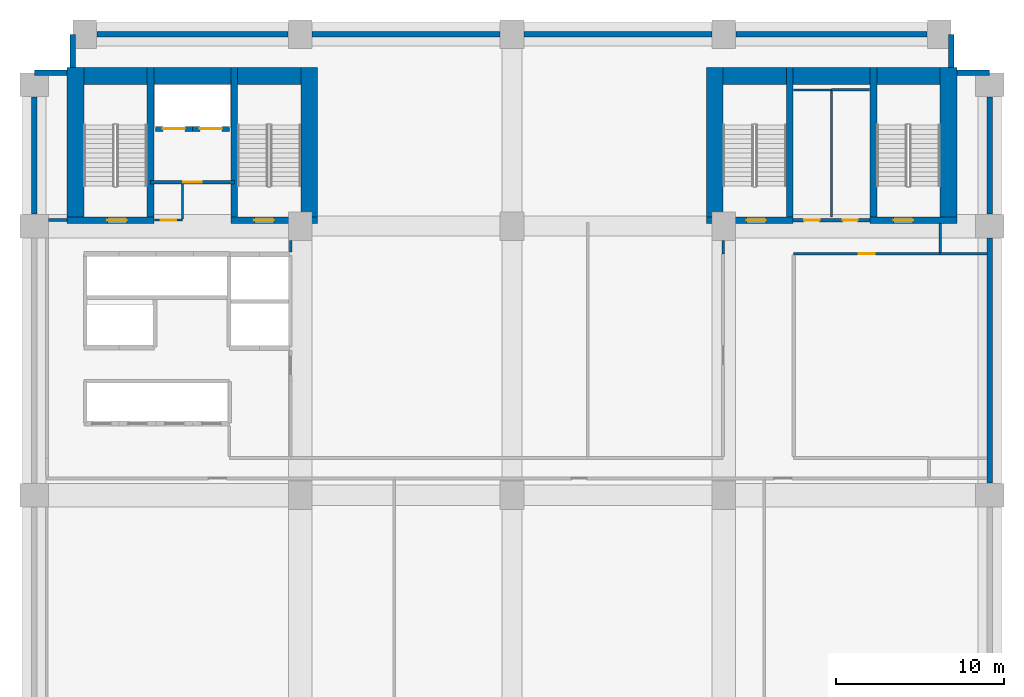
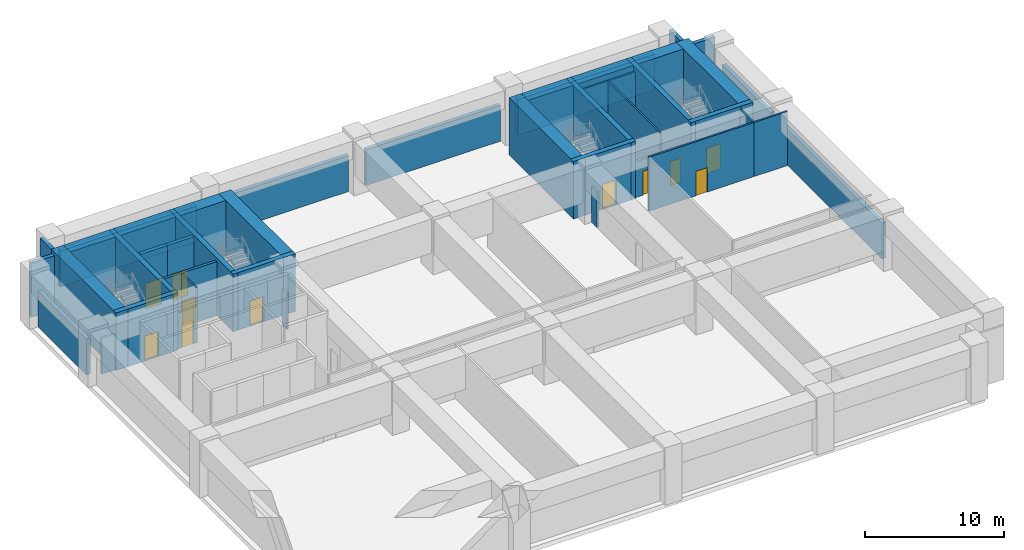
# One storey, part 3 of 6: 40 walls, 11 doors, 11 openings.
"""IFC4 building model written with IfcOpenShell, lengths in metres."""

from ifc_helpers import new_model, si_unit, direction, frame, frame_2d, origin, place, context, subcontext, project, spatial, rectangle, extrude, material, layer, layer_set, type_object, element, fill, save


model = new_model("IFC4")

# Units and contexts
model_context = context("Model", 3, precision=1e-05, world=origin(), true_north=direction((0.0, 1.0)))
body_context = subcontext(model_context, "Body", "Model", "MODEL_VIEW")
ifc_project = project(units=[si_unit("LENGTHUNIT", "METRE"), si_unit("AREAUNIT", "SQUARE_METRE"), si_unit("VOLUMEUNIT", "CUBIC_METRE"), si_unit("PLANEANGLEUNIT", "RADIAN"), si_unit("MASSUNIT", "GRAM", prefix="KILO")], contexts=[model_context])

# Site, building, storey
site_placement = place(None, origin())
site = spatial("IfcSite", under=ifc_project, at=site_placement, CompositionType="ELEMENT")
building_placement = place(site_placement, origin())
building = spatial("IfcBuilding", under=site, at=building_placement, Name="Sulina Concourse Tower", CompositionType="ELEMENT")
storey_placement = place(building_placement, frame((0.0, 0.0, 17.550048828125)))
storey = spatial("IfcBuildingStorey", under=building, at=storey_placement, Name="L04", CompositionType="ELEMENT", Elevation=17.550048828125)

# Wall, opening, door
ifc_material_1 = material(Name="Concrete C50/60", Category="concrete")
ifc_layer_1 = layer(ifc_material_1, 0.300048828125)
ifc_layer_set_1 = layer_set([ifc_layer_1], Name="Concrete C50/60")
wall_type_1 = type_object("IfcWallType", Name="Core Lift Hoistway Wall 300mm", PredefinedType="SOLIDWALL", material=ifc_layer_set_1)
wall_1_placement = place(storey_placement, frame((10.0, 39.780029296875, 0.0), z_axis=(0.0, 0.0, 1.0), x_axis=(-1.0, 0.0, 0.0)))
wall_1 = element("IfcWall", 1, at=wall_1_placement, inside=storey, type_object=wall_type_1, Name="L04 hoistway enclosure wall FFL-1", PredefinedType="SOLIDWALL", context=body_context, shape_type="SweptSolid", body=[
    extrude(rectangle(XDim=2.199951171875, YDim=0.300048828125, at=frame_2d((1.10009765625, 0.0))), origin(), (0.0, 0.0, 1.0), 5.050048828125),
])
opening_1_placement = place(wall_1_placement, frame((0.449951171875, 0.0, 0.0)))
opening_1 = element("IfcOpeningElement", 2, at=opening_1_placement, cuts=wall_1, Name="Opening LD-02", PredefinedType="OPENING", context=body_context, shape_type="SweptSolid", body=[
    extrude(rectangle(XDim=1.300048828125, YDim=2.25, at=frame_2d((0.64990234375, 1.125))), frame((0.0, 0.159912109375, 0.0), z_axis=(0.0, -1.0, 0.0), x_axis=(1.0, 0.0, 0.0)), (0.0, 0.0, 1.0), 0.320068359375),
])
ifc_material_2 = material(Name="Stainless steel lift landing door", Category="steel")
ifc_layer_2 = layer(ifc_material_2, 0.050048828125)
ifc_layer_set_2 = layer_set([ifc_layer_2], Name="Stainless steel lift landing door")
door_type_1 = type_object("IfcDoorType", Name="Firefighting Lift Sliding Landing Door 1300x2250", OperationType="SLIDING_TO_RIGHT", PredefinedType="DOOR", material=ifc_layer_set_2)
door_1_placement = place(opening_1_placement, origin())
door_1 = element("IfcDoor", 3, at=door_1_placement, inside=storey, type_object=door_type_1, Name="L04 lift landing sliding door FFL-1", OperationType="SLIDING_TO_LEFT", OverallHeight=2.25, OverallWidth=1.300048828125, PredefinedType="DOOR", context=body_context, shape_type="SweptSolid", body=[
    extrude(rectangle(XDim=1.300048828125, YDim=2.25, at=frame_2d((0.64990234375, 1.125))), frame((0.0, 0.02490234375, 0.0), z_axis=(0.0, -1.0, 0.0), x_axis=(1.0, 0.0, 0.0)), (0.0, 0.0, 1.0), 0.050048828125),
])
fill(opening_1, door_1)

wall_2_placement = place(storey_placement, frame((12.199951171875, 39.780029296875, 0.0), z_axis=(0.0, 0.0, 1.0), x_axis=(-1.0, 0.0, 0.0)))
wall_2 = element("IfcWall", 4, at=wall_2_placement, inside=storey, type_object=wall_type_1, Name="L04 hoistway enclosure wall FFL-2", PredefinedType="SOLIDWALL", context=body_context, shape_type="SweptSolid", body=[
    extrude(rectangle(XDim=2.199951171875, YDim=0.300048828125, at=frame_2d((1.10009765625, 0.0))), origin(), (0.0, 0.0, 1.0), 5.050048828125),
])
opening_2_placement = place(wall_2_placement, frame((0.449951171875, 0.0, 0.0)))
opening_2 = element("IfcOpeningElement", 5, at=opening_2_placement, cuts=wall_2, Name="Opening LD-02", PredefinedType="OPENING", context=body_context, shape_type="SweptSolid", body=[
    extrude(rectangle(XDim=1.300048828125, YDim=2.25, at=frame_2d((0.64990234375, 1.125))), frame((0.0, 0.159912109375, 0.0), z_axis=(0.0, -1.0, 0.0), x_axis=(1.0, 0.0, 0.0)), (0.0, 0.0, 1.0), 0.320068359375),
])
door_2_placement = place(opening_2_placement, origin())
door_2 = element("IfcDoor", 6, at=door_2_placement, inside=storey, type_object=door_type_1, Name="L04 lift landing sliding door FFL-2", OperationType="SLIDING_TO_RIGHT", OverallHeight=2.25, OverallWidth=1.300048828125, PredefinedType="DOOR", context=body_context, shape_type="SweptSolid", body=[
    extrude(rectangle(XDim=1.300048828125, YDim=2.25, at=frame_2d((0.64990234375, 1.125))), frame((0.0, 0.02490234375, 0.0), z_axis=(0.0, -1.0, 0.0), x_axis=(1.0, 0.0, 0.0)), (0.0, 0.0, 1.0), 0.050048828125),
])
fill(opening_2, door_2)

ifc_material_3 = material(Name="Gypsum board on steel stud", Category="steel")
ifc_layer_3 = layer(ifc_material_3, 0.219970703125)
ifc_layer_set_3 = layer_set([ifc_layer_3], Name="Gypsum board on steel stud")
wall_type_2 = type_object("IfcWallType", Name="Fire-Rated Lobby & Compartment Wall 220mm", PredefinedType="PARTITIONING", material=ifc_layer_set_3)
wall_3_placement = place(storey_placement, frame((7.510009765625, 36.60009765625, 0.0), z_axis=(0.0, 0.0, 1.0), x_axis=(1.0, 0.0, 0.0)))
wall_3 = element("IfcWall", 7, at=wall_3_placement, inside=storey, type_object=wall_type_2, Name="L04 firefighting lobby south fire wall", PredefinedType="PARTITIONING", context=body_context, shape_type="SweptSolid", body=[
    extrude(rectangle(XDim=4.97998046875, YDim=0.219970703125, at=frame_2d((2.489990234375, 0.0))), origin(), (0.0, 0.0, 1.0), 4.75),
])
opening_3_placement = place(wall_3_placement, frame((1.93994140625, 0.0, 0.0)))
opening_3 = element("IfcOpeningElement", 8, at=opening_3_placement, cuts=wall_3, Name="Opening DR-47", PredefinedType="OPENING", context=body_context, shape_type="SweptSolid", body=[
    extrude(rectangle(XDim=1.10009765625, YDim=2.199951171875, at=frame_2d((0.550048828125, 1.10009765625))), frame((0.0, 0.119873046875, 0.0), z_axis=(0.0, -1.0, 0.0), x_axis=(1.0, 0.0, 0.0)), (0.0, 0.0, 1.0), 0.239990234375),
])
ifc_material_4 = material(Name="Galvanised steel acoustic fire leaf", Category="steel")
ifc_layer_4 = layer(ifc_material_4, 0.054931640625)
ifc_layer_set_4 = layer_set([ifc_layer_4], Name="Galvanised steel acoustic fire leaf")
door_type_2 = type_object("IfcDoorType", Name="Firefighting Lobby Fire Door 1100x2200", OperationType="NOTDEFINED", PredefinedType="DOOR", material=ifc_layer_set_4)
door_3_placement = place(opening_3_placement, origin())
door_3 = element("IfcDoor", 9, at=door_3_placement, inside=storey, type_object=door_type_2, Name="L04 firefighting lobby fire door", OperationType="SINGLE_SWING_LEFT", OverallHeight=2.199951171875, OverallWidth=1.10009765625, PredefinedType="DOOR", context=body_context, shape_type="SweptSolid", body=[
    extrude(rectangle(XDim=1.10009765625, YDim=2.199951171875, at=frame_2d((0.550048828125, 1.10009765625))), frame((0.0, 0.02490234375, 0.0), z_axis=(0.0, -1.0, 0.0), x_axis=(1.0, 0.0, 0.0)), (0.0, 0.0, 1.0), 0.050048828125),
])
fill(opening_3, door_3)

# Wall, openings, doors
wall_4_placement = place(storey_placement, frame((45.719970703125, 34.35009765625, 0.0), z_axis=(0.0, 0.0, 1.0), x_axis=(1.0, 0.0, 0.0)))
wall_4 = element("IfcWall", 10, at=wall_4_placement, inside=storey, type_object=wall_type_2, Name="L04 east core south lobby wall", PredefinedType="PARTITIONING", context=body_context, shape_type="SweptSolid", body=[
    extrude(rectangle(XDim=4.56005859375, YDim=0.219970703125, at=frame_2d((2.280029296875, 0.0))), origin(), (0.0, 0.0, 1.0), 3.14501953125),
])
opening_4_placement = place(wall_4_placement, frame((0.64990234375, 0.0, 0.0)))
opening_4 = element("IfcOpeningElement", 11, at=opening_4_placement, cuts=wall_4, Name="Opening DR-61", PredefinedType="OPENING", context=body_context, shape_type="SweptSolid", body=[
    extrude(rectangle(XDim=0.919921875, YDim=2.10009765625, at=frame_2d((0.4599609375, 1.050048828125))), frame((0.0, 0.119873046875, 0.0), z_axis=(0.0, -1.0, 0.0), x_axis=(1.0, 0.0, 0.0)), (0.0, 0.0, 1.0), 0.239990234375),
])
opening_5_placement = place(wall_4_placement, frame((2.949951171875, 0.0, 0.0)))
opening_5 = element("IfcOpeningElement", 12, at=opening_5_placement, cuts=wall_4, Name="Opening DR-38", PredefinedType="OPENING", context=body_context, shape_type="SweptSolid", body=[
    extrude(rectangle(XDim=0.8798828125, YDim=2.10009765625, at=frame_2d((0.43994140625, 1.050048828125))), frame((0.0, 0.119873046875, 0.0), z_axis=(0.0, -1.0, 0.0), x_axis=(1.0, 0.0, 0.0)), (0.0, 0.0, 1.0), 0.239990234375),
])
ifc_material_5 = material(Name="Oak-veneered fire door leaf")
ifc_layer_5 = layer(ifc_material_5, 0.050048828125)
ifc_layer_set_5 = layer_set([ifc_layer_5], Name="Oak-veneered fire door leaf")
door_type_3 = type_object("IfcDoorType", Name="Accessible WC Door 920x2100", OperationType="NOTDEFINED", PredefinedType="DOOR", material=ifc_layer_set_5)
door_4_placement = place(opening_4_placement, origin())
door_4 = element("IfcDoor", 13, at=door_4_placement, inside=storey, type_object=door_type_3, Name="L04 east core accessible wc door", OperationType="SINGLE_SWING_LEFT", OverallHeight=2.10009765625, OverallWidth=0.919921875, PredefinedType="DOOR", context=body_context, shape_type="SweptSolid", body=[
    extrude(rectangle(XDim=0.919921875, YDim=2.10009765625, at=frame_2d((0.4599609375, 1.050048828125))), frame((0.0, 0.02490234375, 0.0), z_axis=(0.0, -1.0, 0.0), x_axis=(1.0, 0.0, 0.0)), (0.0, 0.0, 1.0), 0.050048828125),
])
fill(opening_4, door_4)
ifc_material_6 = material(Name="Galvanised steel acoustic fire leaf", Category="steel")
ifc_layer_6 = layer(ifc_material_6, 0.050048828125)
ifc_layer_set_6 = layer_set([ifc_layer_6], Name="Galvanised steel acoustic fire leaf")
door_type_4 = type_object("IfcDoorType", Name="Service Riser Fire Door 880x2100", OperationType="NOTDEFINED", PredefinedType="DOOR", material=ifc_layer_set_6)
door_5_placement = place(opening_5_placement, origin())
door_5 = element("IfcDoor", 14, at=door_5_placement, inside=storey, type_object=door_type_4, Name="L04 east core store door", OperationType="SINGLE_SWING_RIGHT", OverallHeight=2.10009765625, OverallWidth=0.8798828125, PredefinedType="DOOR", context=body_context, shape_type="SweptSolid", body=[
    extrude(rectangle(XDim=0.8798828125, YDim=2.10009765625, at=frame_2d((0.43994140625, 1.050048828125))), frame((0.0, 0.02490234375, 0.0), z_axis=(0.0, -1.0, 0.0), x_axis=(1.0, 0.0, 0.0)), (0.0, 0.0, 1.0), 0.050048828125),
])
fill(opening_5, door_5)

# Wall, opening, door
ifc_material_7 = material(Name="Gypsum board on steel stud", Category="steel")
ifc_layer_7 = layer(ifc_material_7, 0.14990234375)
ifc_layer_set_7 = layer_set([ifc_layer_7], Name="Gypsum board on steel stud")
wall_type_3 = type_object("IfcWallType", Name="Inter-Tenancy Acoustic Partition 150mm", PredefinedType="PARTITIONING", material=ifc_layer_set_7)
wall_5_placement = place(storey_placement, frame((45.75, 32.35009765625, 0.0), z_axis=(0.0, 0.0, 1.0), x_axis=(1.0, 0.0, 0.0)))
wall_5 = element("IfcWall", 15, at=wall_5_placement, inside=storey, type_object=wall_type_3, Name="L04 interior partition 015", PredefinedType="PARTITIONING", context=body_context, shape_type="SweptSolid", body=[
    extrude(rectangle(XDim=8.699951171875, YDim=0.14990234375, at=frame_2d((4.35009765625, 0.0))), origin(), (0.0, 0.0, 1.0), 4.75),
])
opening_6_placement = place(wall_5_placement, frame((3.875, 0.0, 0.0)))
opening_6 = element("IfcOpeningElement", 16, at=opening_6_placement, cuts=wall_5, Name="Opening DR-19", PredefinedType="OPENING", context=body_context, shape_type="SweptSolid", body=[
    extrude(rectangle(XDim=0.949951171875, YDim=2.14990234375, at=frame_2d((0.47509765625, 1.074951171875))), frame((0.0, 0.0849609375, 0.0), z_axis=(0.0, -1.0, 0.0), x_axis=(1.0, 0.0, 0.0)), (0.0, 0.0, 1.0), 0.169921875),
])
ifc_material_8 = material(Name="Oak-veneered acoustic timber leaf", Category="wood")
ifc_layer_8 = layer(ifc_material_8, 0.050048828125)
ifc_layer_set_8 = layer_set([ifc_layer_8], Name="Oak-veneered acoustic timber leaf")
door_type_5 = type_object("IfcDoorType", Name="Cellular Office & Meeting Door 950x2150", OperationType="NOTDEFINED", PredefinedType="DOOR", material=ifc_layer_set_8)
door_6_placement = place(opening_6_placement, origin())
door_6 = element("IfcDoor", 17, at=door_6_placement, inside=storey, type_object=door_type_5, Name="L04 interior door L04-OFF-TR3", OperationType="SINGLE_SWING_LEFT", OverallHeight=2.14990234375, OverallWidth=0.949951171875, PredefinedType="DOOR", context=body_context, shape_type="SweptSolid", body=[
    extrude(rectangle(XDim=0.949951171875, YDim=2.14990234375, at=frame_2d((0.47509765625, 1.074951171875))), frame((0.0, 0.02490234375, 0.0), z_axis=(0.0, -1.0, 0.0), x_axis=(1.0, 0.0, 0.0)), (0.0, 0.0, 1.0), 0.050048828125),
])
fill(opening_6, door_6)

# Walls
wall_6_placement = place(storey_placement, frame((54.449951171875, 32.35009765625, 0.0), z_axis=(0.0, 0.0, 1.0), x_axis=(1.0, 0.0, 0.0)))
element("IfcWall", 18, at=wall_6_placement, inside=storey, type_object=wall_type_3, Name="L04 interior partition 016", PredefinedType="PARTITIONING", context=body_context, shape_type="SweptSolid", body=[
    extrude(rectangle(XDim=2.7900390625, YDim=0.14990234375, at=frame_2d((1.39501953125, 0.0))), origin(), (0.0, 0.0, 1.0), 4.75),
])
wall_7_placement = place(storey_placement, frame((48.0, 42.10009765625, 0.0), z_axis=(0.0, 0.0, 1.0), x_axis=(1.0, 0.0, 0.0)))
element("IfcWall", 19, at=wall_7_placement, inside=storey, type_object=wall_type_3, Name="L04 interior partition 020", PredefinedType="PARTITIONING", context=body_context, shape_type="SweptSolid", body=[
    extrude(rectangle(XDim=2.25, YDim=0.14990234375, at=frame_2d((1.125, 0.0))), origin(), (0.0, 0.0, 1.0), 4.75),
])
wall_8_placement = place(storey_placement, frame((15.85009765625, 32.469970703125, 0.0), z_axis=(0.0, 0.0, 1.0), x_axis=(0.0, 1.0, 0.0)))
element("IfcWall", 20, at=wall_8_placement, inside=storey, type_object=wall_type_3, Name="L04 interior partition 029", PredefinedType="PARTITIONING", context=body_context, shape_type="SweptSolid", body=[
    extrude(rectangle(XDim=0.679931640625, YDim=0.14990234375, at=frame_2d((0.33984375, 0.0))), origin(), (0.0, 0.0, 1.0), 3.14501953125),
])
wall_9_placement = place(storey_placement, frame((41.550048828125, 32.35009765625, 0.0), z_axis=(0.0, 0.0, 1.0), x_axis=(0.0, 1.0, 0.0)))
element("IfcWall", 21, at=wall_9_placement, inside=storey, type_object=wall_type_3, Name="L04 interior partition 033", PredefinedType="PARTITIONING", context=body_context, shape_type="SweptSolid", body=[
    extrude(rectangle(XDim=0.7998046875, YDim=0.14990234375, at=frame_2d((0.39990234375, 0.0))), origin(), (0.0, 0.0, 1.0), 3.14501953125),
])
wall_10_placement = place(storey_placement, frame((54.449951171875, 32.425048828125, 0.0), z_axis=(0.0, 0.0, 1.0), x_axis=(0.0, 1.0, 0.0)))
element("IfcWall", 22, at=wall_10_placement, inside=storey, type_object=wall_type_3, Name="L04 interior partition 038", PredefinedType="PARTITIONING", context=body_context, shape_type="SweptSolid", body=[
    extrude(rectangle(XDim=1.724853515625, YDim=0.14990234375, at=frame_2d((0.8623046875, 0.0))), origin(), (0.0, 0.0, 1.0), 4.75),
])
ifc_material_9 = material(Name="Precast concrete C50/60", Category="concrete")
ifc_layer_9 = layer(ifc_material_9, 0.320068359375)
ifc_layer_set_9 = layer_set([ifc_layer_9], Name="Precast concrete C50/60")
wall_type_4 = type_object("IfcWallType", Name="Lower Precast Masonry-Frame Facade Wall 320mm", PredefinedType="SOLIDWALL", material=ifc_layer_set_9)
wall_11_placement = place(storey_placement, frame((0.60009765625, 34.719970703125, 0.0), z_axis=(0.0, 0.0, 1.0), x_axis=(0.0, 1.0, 0.0)))
element("IfcWall", 23, at=wall_11_placement, inside=storey, type_object=wall_type_4, Name="L04 exterior precast wall W3", PredefinedType="SOLIDWALL", context=body_context, shape_type="SweptSolid", body=[
    extrude(rectangle(XDim=6.9599609375, YDim=0.320068359375, at=frame_2d((3.47998046875, 0.0))), origin(), (0.0, 0.0, 1.0), 3.14990234375),
])
wall_12_placement = place(storey_placement, frame((4.320068359375, 45.39990234375, 0.0), z_axis=(0.0, 0.0, 1.0), x_axis=(1.0, 0.0, 0.0)))
element("IfcWall", 24, at=wall_12_placement, inside=storey, type_object=wall_type_4, Name="L04 exterior precast wall N1", PredefinedType="SOLIDWALL", context=body_context, shape_type="SweptSolid", body=[
    extrude(rectangle(XDim=11.35986328125, YDim=0.320068359375, at=frame_2d((5.679931640625, 0.0))), origin(), (0.0, 0.0, 1.0), 3.14990234375),
])
for number, where, z_axis, x_axis, name in (
    (25, (17.1201171875, 45.39990234375, 0.0), (0.0, 0.0, 1.0), (1.0, 0.0, 0.0), "L04 exterior precast wall N2"),
    (26, (29.719970703125, 45.39990234375, 0.0), (0.0, 0.0, 1.0), (1.0, 0.0, 0.0), "L04 exterior precast wall N3"),
):
    element("IfcWall", number, at=place(storey_placement, frame(where, z_axis=z_axis, x_axis=x_axis)), inside=storey, type_object=wall_type_4, Name=name, PredefinedType="SOLIDWALL", context=body_context, shape_type="SweptSolid", body=[
        extrude(rectangle(XDim=11.159912109375, YDim=0.320068359375, at=frame_2d((5.580078125, 0.0))), origin(), (0.0, 0.0, 1.0), 3.14990234375),
    ])
wall_13_placement = place(storey_placement, frame((42.320068359375, 45.39990234375, 0.0), z_axis=(0.0, 0.0, 1.0), x_axis=(1.0, 0.0, 0.0)))
element("IfcWall", 27, at=wall_13_placement, inside=storey, type_object=wall_type_4, Name="L04 exterior precast wall N4", PredefinedType="SOLIDWALL", context=body_context, shape_type="SweptSolid", body=[
    extrude(rectangle(XDim=11.35986328125, YDim=0.320068359375, at=frame_2d((5.679931640625, 0.0))), origin(), (0.0, 0.0, 1.0), 3.14990234375),
])
wall_14_placement = place(storey_placement, frame((57.39990234375, 33.280029296875, 0.0), z_axis=(0.0, 0.0, 1.0), x_axis=(0.0, -1.0, 0.0)))
element("IfcWall", 28, at=wall_14_placement, inside=storey, type_object=wall_type_4, Name="L04 exterior precast wall E2", PredefinedType="SOLIDWALL", context=body_context, shape_type="SweptSolid", body=[
    extrude(rectangle(XDim=14.56005859375, YDim=0.320068359375, at=frame_2d((7.280029296875, 0.0))), origin(), (0.0, 0.0, 1.0), 3.14990234375),
])
wall_15_placement = place(storey_placement, frame((57.39990234375, 41.679931640625, 0.0), z_axis=(0.0, 0.0, 1.0), x_axis=(0.0, -1.0, 0.0)))
element("IfcWall", 29, at=wall_15_placement, inside=storey, type_object=wall_type_4, Name="L04 exterior precast wall E3", PredefinedType="SOLIDWALL", context=body_context, shape_type="SweptSolid", body=[
    extrude(rectangle(XDim=6.9599609375, YDim=0.320068359375, at=frame_2d((3.47998046875, 0.0))), origin(), (0.0, 0.0, 1.0), 3.14990234375),
])
wall_16_placement = place(storey_placement, frame((0.60009765625, 43.1201171875, 0.0), z_axis=(0.0, 0.0, 1.0), x_axis=(1.0, 0.0, 0.0)))
element("IfcWall", 30, at=wall_16_placement, inside=storey, type_object=wall_type_4, Name="L04 exterior precast wall CNW1", PredefinedType="SOLIDWALL", context=body_context, shape_type="SweptSolid", body=[
    extrude(rectangle(XDim=1.94482421875, YDim=0.320068359375, at=frame_2d((0.972412109375, 0.0))), origin(), (0.0, 0.0, 1.0), 4.75),
])
for number, where, z_axis, x_axis, name in (
    (31, (2.8798828125, 43.43505859375, 0.0), (0.0, 0.0, 1.0), (0.0, 1.0, 0.0), "L04 exterior precast wall CNW2"),
    (32, (55.1201171875, 45.39990234375, 0.0), (0.0, 0.0, 1.0), (0.0, -1.0, 0.0), "L04 exterior precast wall CNE1"),
):
    element("IfcWall", number, at=place(storey_placement, frame(where, z_axis=z_axis, x_axis=x_axis)), inside=storey, type_object=wall_type_4, Name=name, PredefinedType="SOLIDWALL", context=body_context, shape_type="SweptSolid", body=[
        extrude(rectangle(XDim=1.96484375, YDim=0.320068359375, at=frame_2d((0.982421875, 0.0))), origin(), (0.0, 0.0, 1.0), 4.75),
    ])
wall_17_placement = place(storey_placement, frame((55.455078125, 43.1201171875, 0.0), z_axis=(0.0, 0.0, 1.0), x_axis=(1.0, 0.0, 0.0)))
element("IfcWall", 33, at=wall_17_placement, inside=storey, type_object=wall_type_4, Name="L04 exterior precast wall CNE2", PredefinedType="SOLIDWALL", context=body_context, shape_type="SweptSolid", body=[
    extrude(rectangle(XDim=1.94482421875, YDim=0.320068359375, at=frame_2d((0.972412109375, 0.0))), origin(), (0.0, 0.0, 1.0), 4.75),
])
ifc_material_10 = material(Name="Gypsum board on steel stud", Category="steel")
ifc_layer_10 = layer(ifc_material_10, 0.179931640625)
ifc_layer_set_10 = layer_set([ifc_layer_10], Name="Gypsum board on steel stud")
wall_type_5 = type_object("IfcWallType", Name="Protected Corridor & Riser Partition 180mm", PredefinedType="PARTITIONING", material=ifc_layer_set_10)
wall_18_placement = place(storey_placement, frame((1.449951171875, 34.35009765625, 0.0), z_axis=(0.0, 0.0, 1.0), x_axis=(1.0, 0.0, 0.0)))
element("IfcWall", 34, at=wall_18_placement, inside=storey, type_object=wall_type_5, Name="L04 interior partition 017", PredefinedType="PARTITIONING", context=body_context, shape_type="SweptSolid", body=[
    extrude(rectangle(XDim=1.10009765625, YDim=0.179931640625, at=frame_2d((0.550048828125, 0.0))), origin(), (0.0, 0.0, 1.0), 3.14501953125),
])

# Wall, opening, door
ifc_material_11 = material(Name="Concrete C60/75", Category="concrete")
ifc_layer_11 = layer(ifc_material_11, 0.39990234375)
ifc_layer_set_11 = layer_set([ifc_layer_11], Name="Concrete C60/75")
wall_type_6 = type_object("IfcWallType", Name="Protected Stair Core Shear Wall 400mm", PredefinedType="SHEAR", material=ifc_layer_set_11)
wall_19_placement = place(storey_placement, frame((2.550048828125, 34.35009765625, 0.0), z_axis=(0.0, 0.0, 1.0), x_axis=(1.0, 0.0, 0.0)))
wall_19 = element("IfcWall", 35, at=wall_19_placement, inside=storey, type_object=wall_type_6, Name="L04 west core shear wall CW-WS1", PredefinedType="SHEAR", context=body_context, shape_type="SweptSolid", body=[
    extrude(rectangle(XDim=5.159912109375, YDim=0.39990234375, at=frame_2d((2.580078125, 0.0))), origin(), (0.0, 0.0, 1.0), 5.050048828125),
])
opening_7_placement = place(wall_19_placement, frame((2.39990234375, 0.0, 0.0)))
opening_7 = element("IfcOpeningElement", 36, at=opening_7_placement, cuts=wall_19, Name="Opening DR-60", PredefinedType="OPENING", context=body_context, shape_type="SweptSolid", body=[
    extrude(rectangle(XDim=1.14990234375, YDim=2.199951171875, at=frame_2d((0.574951171875, 1.10009765625))), frame((0.0, 0.2099609375, 0.0), z_axis=(0.0, -1.0, 0.0), x_axis=(1.0, 0.0, 0.0)), (0.0, 0.0, 1.0), 0.419921875),
])
ifc_material_12 = material(Name="Galvanised steel acoustic fire leaf", Category="steel")
ifc_layer_12 = layer(ifc_material_12, 0.054931640625)
ifc_layer_set_12 = layer_set([ifc_layer_12], Name="Galvanised steel acoustic fire leaf")
door_type_6 = type_object("IfcDoorType", Name="Protected Exit Stair Fire Door 1150x2200", OperationType="NOTDEFINED", PredefinedType="DOOR", material=ifc_layer_set_12)
door_7_placement = place(opening_7_placement, origin())
door_7 = element("IfcDoor", 37, at=door_7_placement, inside=storey, type_object=door_type_6, Name="L04 stair ST-1 lobby fire door", OperationType="SINGLE_SWING_LEFT", OverallHeight=2.199951171875, OverallWidth=1.14990234375, PredefinedType="DOOR", context=body_context, shape_type="SweptSolid", body=[
    extrude(rectangle(XDim=1.14990234375, YDim=2.199951171875, at=frame_2d((0.574951171875, 1.10009765625))), frame((0.0, 0.02490234375, 0.0), z_axis=(0.0, -1.0, 0.0), x_axis=(1.0, 0.0, 0.0)), (0.0, 0.0, 1.0), 0.050048828125),
])
fill(opening_7, door_7)

wall_20_placement = place(storey_placement, frame((12.2900390625, 34.35009765625, 0.0), z_axis=(0.0, 0.0, 1.0), x_axis=(1.0, 0.0, 0.0)))
wall_20 = element("IfcWall", 38, at=wall_20_placement, inside=storey, type_object=wall_type_6, Name="L04 west core shear wall CW-WS2", PredefinedType="SHEAR", context=body_context, shape_type="SweptSolid", body=[
    extrude(rectangle(XDim=5.159912109375, YDim=0.39990234375, at=frame_2d((2.580078125, 0.0))), origin(), (0.0, 0.0, 1.0), 5.050048828125),
])
opening_8_placement = place(wall_20_placement, frame((1.39990234375, 0.0, 0.0)))
opening_8 = element("IfcOpeningElement", 39, at=opening_8_placement, cuts=wall_20, Name="Opening DR-60", PredefinedType="OPENING", context=body_context, shape_type="SweptSolid", body=[
    extrude(rectangle(XDim=1.14990234375, YDim=2.199951171875, at=frame_2d((0.574951171875, 1.10009765625))), frame((0.0, 0.2099609375, 0.0), z_axis=(0.0, -1.0, 0.0), x_axis=(1.0, 0.0, 0.0)), (0.0, 0.0, 1.0), 0.419921875),
])
door_8_placement = place(opening_8_placement, origin())
door_8 = element("IfcDoor", 40, at=door_8_placement, inside=storey, type_object=door_type_6, Name="L04 stair ST-2 lobby fire door", OperationType="SINGLE_SWING_RIGHT", OverallHeight=2.199951171875, OverallWidth=1.14990234375, PredefinedType="DOOR", context=body_context, shape_type="SweptSolid", body=[
    extrude(rectangle(XDim=1.14990234375, YDim=2.199951171875, at=frame_2d((0.574951171875, 1.10009765625))), frame((0.0, 0.02490234375, 0.0), z_axis=(0.0, -1.0, 0.0), x_axis=(1.0, 0.0, 0.0)), (0.0, 0.0, 1.0), 0.050048828125),
])
fill(opening_8, door_8)

# Walls
for number, where, z_axis, x_axis, name in (
    (41, (7.510009765625, 34.14990234375, 0.0), (0.0, 0.0, 1.0), (0.0, 1.0, 0.0), "L04 west core shear wall SW-ST1"),
    (42, (12.489990234375, 34.14990234375, 0.0), (0.0, 0.0, 1.0), (0.0, 1.0, 0.0), "L04 west core shear wall SW-ST2"),
):
    element("IfcWall", number, at=place(storey_placement, frame(where, z_axis=z_axis, x_axis=x_axis)), inside=storey, type_object=wall_type_6, Name=name, PredefinedType="SHEAR", context=body_context, shape_type="SweptSolid", body=[
        extrude(rectangle(XDim=9.280029296875, YDim=0.39990234375, at=frame_2d((4.64013671875, 0.0))), origin(), (0.0, 0.0, 1.0), 5.050048828125),
    ])

# Wall, opening, door
wall_21_placement = place(storey_placement, frame((40.550048828125, 34.35009765625, 0.0), z_axis=(0.0, 0.0, 1.0), x_axis=(1.0, 0.0, 0.0)))
wall_21 = element("IfcWall", 43, at=wall_21_placement, inside=storey, type_object=wall_type_6, Name="L04 east core shear wall CW-ES1", PredefinedType="SHEAR", context=body_context, shape_type="SweptSolid", body=[
    extrude(rectangle(XDim=5.159912109375, YDim=0.39990234375, at=frame_2d((2.580078125, 0.0))), origin(), (0.0, 0.0, 1.0), 5.050048828125),
])
opening_9_placement = place(wall_21_placement, frame((2.39990234375, 0.0, 0.0)))
opening_9 = element("IfcOpeningElement", 44, at=opening_9_placement, cuts=wall_21, Name="Opening DR-60", PredefinedType="OPENING", context=body_context, shape_type="SweptSolid", body=[
    extrude(rectangle(XDim=1.14990234375, YDim=2.199951171875, at=frame_2d((0.574951171875, 1.10009765625))), frame((0.0, 0.2099609375, 0.0), z_axis=(0.0, -1.0, 0.0), x_axis=(1.0, 0.0, 0.0)), (0.0, 0.0, 1.0), 0.419921875),
])
door_9_placement = place(opening_9_placement, origin())
door_9 = element("IfcDoor", 45, at=door_9_placement, inside=storey, type_object=door_type_6, Name="L04 stair ST-3 south lobby fire door", OperationType="SINGLE_SWING_RIGHT", OverallHeight=2.199951171875, OverallWidth=1.14990234375, PredefinedType="DOOR", context=body_context, shape_type="SweptSolid", body=[
    extrude(rectangle(XDim=1.14990234375, YDim=2.199951171875, at=frame_2d((0.574951171875, 1.10009765625))), frame((0.0, 0.02490234375, 0.0), z_axis=(0.0, -1.0, 0.0), x_axis=(1.0, 0.0, 0.0)), (0.0, 0.0, 1.0), 0.050048828125),
])
fill(opening_9, door_9)

# Wall
wall_22_placement = place(storey_placement, frame((45.510009765625, 34.14990234375, 0.0), z_axis=(0.0, 0.0, 1.0), x_axis=(0.0, 1.0, 0.0)))
element("IfcWall", 46, at=wall_22_placement, inside=storey, type_object=wall_type_6, Name="L04 east core shear wall SW-ST3", PredefinedType="SHEAR", context=body_context, shape_type="SweptSolid", body=[
    extrude(rectangle(XDim=9.280029296875, YDim=0.39990234375, at=frame_2d((4.64013671875, 0.0))), origin(), (0.0, 0.0, 1.0), 5.050048828125),
])

# Wall, opening, door
wall_23_placement = place(storey_placement, frame((50.2900390625, 34.35009765625, 0.0), z_axis=(0.0, 0.0, 1.0), x_axis=(1.0, 0.0, 0.0)))
wall_23 = element("IfcWall", 47, at=wall_23_placement, inside=storey, type_object=wall_type_6, Name="L04 east core shear wall CW-ES2", PredefinedType="SHEAR", context=body_context, shape_type="SweptSolid", body=[
    extrude(rectangle(XDim=5.159912109375, YDim=0.39990234375, at=frame_2d((2.580078125, 0.0))), origin(), (0.0, 0.0, 1.0), 5.050048828125),
])
opening_10_placement = place(wall_23_placement, frame((1.39990234375, 0.0, 0.0)))
opening_10 = element("IfcOpeningElement", 48, at=opening_10_placement, cuts=wall_23, Name="Opening DR-60", PredefinedType="OPENING", context=body_context, shape_type="SweptSolid", body=[
    extrude(rectangle(XDim=1.14990234375, YDim=2.199951171875, at=frame_2d((0.574951171875, 1.10009765625))), frame((0.0, 0.2099609375, 0.0), z_axis=(0.0, -1.0, 0.0), x_axis=(1.0, 0.0, 0.0)), (0.0, 0.0, 1.0), 0.419921875),
])
door_10_placement = place(opening_10_placement, origin())
door_10 = element("IfcDoor", 49, at=door_10_placement, inside=storey, type_object=door_type_6, Name="L04 stair ST-4 south lobby fire door", OperationType="SINGLE_SWING_LEFT", OverallHeight=2.199951171875, OverallWidth=1.14990234375, PredefinedType="DOOR", context=body_context, shape_type="SweptSolid", body=[
    extrude(rectangle(XDim=1.14990234375, YDim=2.199951171875, at=frame_2d((0.574951171875, 1.10009765625))), frame((0.0, 0.02490234375, 0.0), z_axis=(0.0, -1.0, 0.0), x_axis=(1.0, 0.0, 0.0)), (0.0, 0.0, 1.0), 0.050048828125),
])
fill(opening_10, door_10)

# Walls
wall_24_placement = place(storey_placement, frame((50.489990234375, 34.14990234375, 0.0), z_axis=(0.0, 0.0, 1.0), x_axis=(0.0, 1.0, 0.0)))
element("IfcWall", 50, at=wall_24_placement, inside=storey, type_object=wall_type_6, Name="L04 east core shear wall SW-ST4", PredefinedType="SHEAR", context=body_context, shape_type="SweptSolid", body=[
    extrude(rectangle(XDim=9.280029296875, YDim=0.39990234375, at=frame_2d((4.64013671875, 0.0))), origin(), (0.0, 0.0, 1.0), 5.050048828125),
])
ifc_material_13 = material(Name="Concrete C80/95", Category="concrete")
ifc_layer_13 = layer(ifc_material_13, 1.0)
ifc_layer_set_13 = layer_set([ifc_layer_13], Name="Concrete C80/95")
wall_type_7 = type_object("IfcWallType", Name="Rear Core Shear Wall 1000mm", PredefinedType="SHEAR", material=ifc_layer_set_13)
wall_25_placement = place(storey_placement, frame((2.550048828125, 42.929931640625, 0.0), z_axis=(0.0, 0.0, 1.0), x_axis=(1.0, 0.0, 0.0)))
element("IfcWall", 51, at=wall_25_placement, inside=storey, type_object=wall_type_7, Name="L04 west core shear wall CW-WN", PredefinedType="SHEAR", context=body_context, shape_type="SweptSolid", body=[
    extrude(rectangle(XDim=14.89990234375, YDim=1.0, at=frame_2d((7.449951171875, 0.0))), origin(), (0.0, 0.0, 1.0), 5.050048828125),
])
for number, where, z_axis, x_axis, name in (
    (52, (3.050048828125, 34.14990234375, 0.0), (0.0, 0.0, 1.0), (0.0, 1.0, 0.0), "L04 west core shear wall CW-WW"),
    (53, (16.949951171875, 34.14990234375, 0.0), (0.0, 0.0, 1.0), (0.0, 1.0, 0.0), "L04 west core shear wall CW-WE"),
):
    element("IfcWall", number, at=place(storey_placement, frame(where, z_axis=z_axis, x_axis=x_axis)), inside=storey, type_object=wall_type_7, Name=name, PredefinedType="SHEAR", context=body_context, shape_type="SweptSolid", body=[
        extrude(rectangle(XDim=9.280029296875, YDim=1.0, at=frame_2d((4.64013671875, 0.0))), origin(), (0.0, 0.0, 1.0), 5.050048828125),
    ])
wall_26_placement = place(storey_placement, frame((40.550048828125, 42.929931640625, 0.0), z_axis=(0.0, 0.0, 1.0), x_axis=(1.0, 0.0, 0.0)))
element("IfcWall", 54, at=wall_26_placement, inside=storey, type_object=wall_type_7, Name="L04 east core shear wall CW-EN", PredefinedType="SHEAR", context=body_context, shape_type="SweptSolid", body=[
    extrude(rectangle(XDim=14.89990234375, YDim=1.0, at=frame_2d((7.449951171875, 0.0))), origin(), (0.0, 0.0, 1.0), 5.050048828125),
])
for number, where, z_axis, x_axis, name in (
    (55, (41.050048828125, 34.14990234375, 0.0), (0.0, 0.0, 1.0), (0.0, 1.0, 0.0), "L04 east core shear wall CW-EW"),
    (56, (54.949951171875, 34.14990234375, 0.0), (0.0, 0.0, 1.0), (0.0, 1.0, 0.0), "L04 east core shear wall CW-EE"),
):
    element("IfcWall", number, at=place(storey_placement, frame(where, z_axis=z_axis, x_axis=x_axis)), inside=storey, type_object=wall_type_7, Name=name, PredefinedType="SHEAR", context=body_context, shape_type="SweptSolid", body=[
        extrude(rectangle(XDim=9.280029296875, YDim=1.0, at=frame_2d((4.64013671875, 0.0))), origin(), (0.0, 0.0, 1.0), 5.050048828125),
    ])

# Wall, opening, door
ifc_material_14 = material(Name="Gypsum board on steel stud", Category="steel")
ifc_layer_14 = layer(ifc_material_14, 0.125)
ifc_layer_set_14 = layer_set([ifc_layer_14], Name="Gypsum board on steel stud")
wall_type_8 = type_object("IfcWallType", Name="Wet-Area Moisture-Resistant Partition 125mm", PredefinedType="PARTITIONING", material=ifc_layer_set_14)
wall_27_placement = place(storey_placement, frame((7.75, 34.35009765625, 0.0), z_axis=(0.0, 0.0, 1.0), x_axis=(1.0, 0.0, 0.0)))
wall_27 = element("IfcWall", 57, at=wall_27_placement, inside=storey, type_object=wall_type_8, Name="L04 interior partition 018", PredefinedType="PARTITIONING", context=body_context, shape_type="SweptSolid", body=[
    extrude(rectangle(XDim=1.64990234375, YDim=0.125, at=frame_2d((0.824951171875, 0.0))), origin(), (0.0, 0.0, 1.0), 3.14501953125),
])
opening_11_placement = place(wall_27_placement, frame((0.364990234375, 0.0, 0.0)))
opening_11 = element("IfcOpeningElement", 58, at=opening_11_placement, cuts=wall_27, Name="Opening DR-61", PredefinedType="OPENING", context=body_context, shape_type="SweptSolid", body=[
    extrude(rectangle(XDim=0.919921875, YDim=2.10009765625, at=frame_2d((0.4599609375, 1.050048828125))), frame((0.0, 0.072509765625, 0.0), z_axis=(0.0, -1.0, 0.0), x_axis=(1.0, 0.0, 0.0)), (0.0, 0.0, 1.0), 0.14501953125),
])
door_11_placement = place(opening_11_placement, origin())
door_11 = element("IfcDoor", 59, at=door_11_placement, inside=storey, type_object=door_type_3, Name="L04 interior door L04-WC-ACC", OperationType="SINGLE_SWING_RIGHT", OverallHeight=2.10009765625, OverallWidth=0.919921875, PredefinedType="DOOR", context=body_context, shape_type="SweptSolid", body=[
    extrude(rectangle(XDim=0.919921875, YDim=2.10009765625, at=frame_2d((0.4599609375, 1.050048828125))), frame((0.0, 0.02490234375, 0.0), z_axis=(0.0, -1.0, 0.0), x_axis=(1.0, 0.0, 0.0)), (0.0, 0.0, 1.0), 0.050048828125),
])
fill(opening_11, door_11)

# Walls
wall_28_placement = place(storey_placement, frame((45.75, 42.10009765625, 0.0), z_axis=(0.0, 0.0, 1.0), x_axis=(1.0, 0.0, 0.0)))
element("IfcWall", 60, at=wall_28_placement, inside=storey, type_object=wall_type_8, Name="L04 interior partition 019", PredefinedType="PARTITIONING", context=body_context, shape_type="SweptSolid", body=[
    extrude(rectangle(XDim=2.25, YDim=0.125, at=frame_2d((1.125, 0.0))), origin(), (0.0, 0.0, 1.0), 4.75),
])
wall_29_placement = place(storey_placement, frame((9.39990234375, 34.41259765625, 0.0), z_axis=(0.0, 0.0, 1.0), x_axis=(0.0, 1.0, 0.0)))
element("IfcWall", 61, at=wall_29_placement, inside=storey, type_object=wall_type_8, Name="L04 interior partition 025", PredefinedType="PARTITIONING", context=body_context, shape_type="SweptSolid", body=[
    extrude(rectangle(XDim=2.077392578125, YDim=0.125, at=frame_2d((1.03857421875, 0.0))), origin(), (0.0, 0.0, 1.0), 4.75),
])
wall_30_placement = place(storey_placement, frame((48.0, 34.550048828125, 0.0), z_axis=(0.0, 0.0, 1.0), x_axis=(0.0, 1.0, 0.0)))
element("IfcWall", 62, at=wall_30_placement, inside=storey, type_object=wall_type_8, Name="L04 interior partition 036", PredefinedType="PARTITIONING", context=body_context, shape_type="SweptSolid", body=[
    extrude(rectangle(XDim=7.474853515625, YDim=0.125, at=frame_2d((3.7373046875, 0.0))), origin(), (0.0, 0.0, 1.0), 4.75),
])

save(model, "model.ifc")
